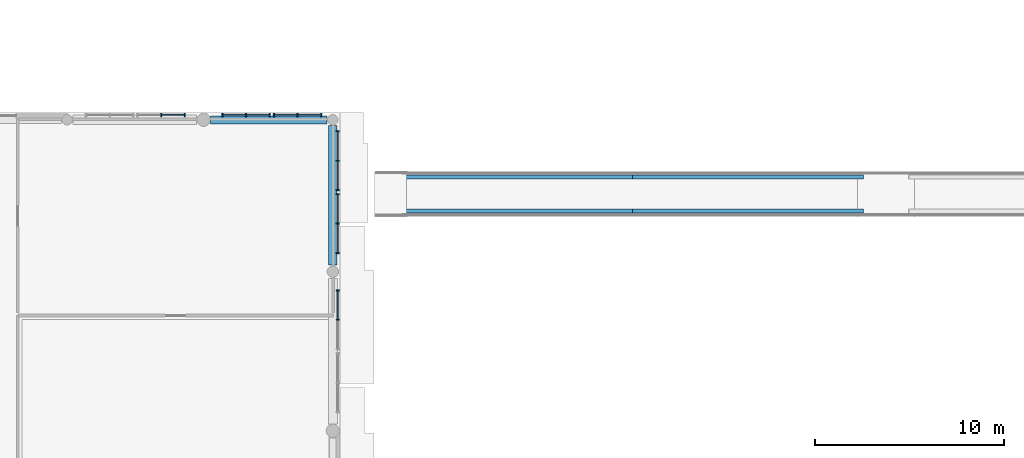
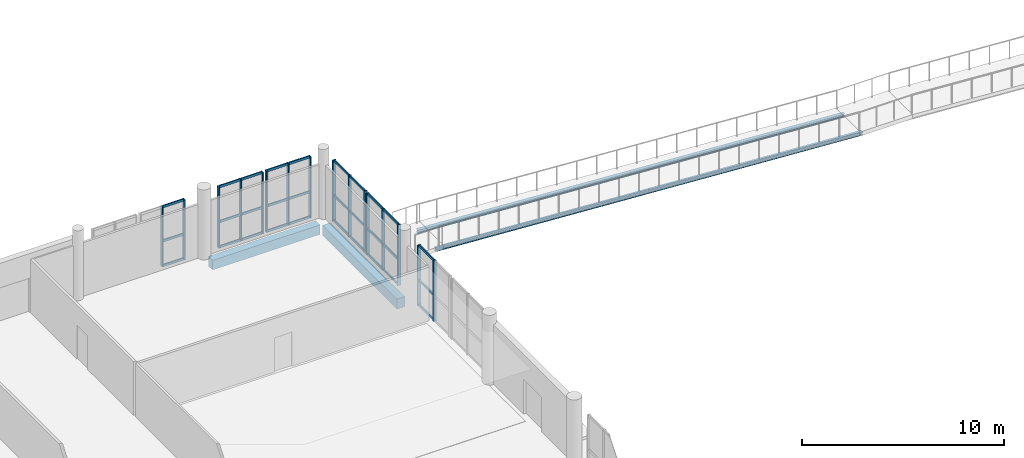
# One storey, part 26 of 77: 46 members, 6 beams, 6 elements without a shape of their own.
"""IFC4 building model written with IfcOpenShell, lengths in metres."""

from ifc_helpers import new_model, si_unit, direction, frame, origin, origin_2d, place, context, subcontext, project, spatial, rectangle, i_section, extrude, material, layer, layer_set, material_profile, profile_set, type_object, element, aggregate, save


model = new_model("IFC4")

# Units and contexts
model_context = context("Model", 3, precision=1e-05, world=origin(), true_north=direction((0.0, 1.0)))
body_context = subcontext(model_context, "Body", "Model", "MODEL_VIEW")
ifc_project = project(units=[si_unit("LENGTHUNIT", "METRE"), si_unit("AREAUNIT", "SQUARE_METRE"), si_unit("VOLUMEUNIT", "CUBIC_METRE"), si_unit("PLANEANGLEUNIT", "RADIAN"), si_unit("MASSUNIT", "GRAM", prefix="KILO")], contexts=[model_context])

# Site, building, storey
site_placement = place(None, origin())
site = spatial("IfcSite", under=ifc_project, at=site_placement, CompositionType="ELEMENT")
building_placement = place(site_placement, origin())
building = spatial("IfcBuilding", under=site, at=building_placement, Name="Vardoun Plaza Health Centre", CompositionType="ELEMENT")
storey_placement = place(building_placement, origin())
storey = spatial("IfcBuildingStorey", under=building, at=storey_placement, Name="L00", CompositionType="ELEMENT", Elevation=0.0)

# Beams
ifc_material_1 = material(Name="Concrete C35/45", Category="concrete")
ifc_material_profile_1 = material_profile(ifc_material_1, rectangle(XDim=0.419921875, YDim=0.580078125, at=origin_2d()), Name="RC-BM 420x580")
ifc_profile_set_1 = profile_set([ifc_material_profile_1], Name="Concrete C35/45")
beam_type_1 = type_object("IfcBeamType", Name="B-10", PredefinedType="SPANDREL", material=ifc_profile_set_1)
beam_1_placement = place(storey_placement, frame((69.85498046875, 77.919921875, -0.570068359375), z_axis=(1.0, 0.0, 0.0), x_axis=(0.0, 1.0, 0.0)))
element("IfcBeam", 1, at=beam_1_placement, inside=storey, type_object=beam_type_1, Name="V1 L00 Beam B-V1-L00-X12", PredefinedType="SPANDREL", context=body_context, shape_type="SweptSolid", body=[
    extrude(rectangle(XDim=0.419921875, YDim=0.580078125, at=origin_2d()), origin(), (0.0, 0.0, 1.0), 6.14501953125),
])
ifc_material_2 = material(Name="Concrete C35/45", Category="concrete")
ifc_material_profile_2 = material_profile(ifc_material_2, rectangle(XDim=0.449951171875, YDim=0.60009765625, at=origin_2d()), Name="RC-BM 450x600")
ifc_profile_set_2 = profile_set([ifc_material_profile_2], Name="Concrete C35/45")
beam_type_2 = type_object("IfcBeamType", Name="B-11", PredefinedType="SPANDREL", material=ifc_profile_set_2)
beam_2_placement = place(storey_placement, frame((76.300048828125, 70.25, -0.580078125), z_axis=(0.0, 1.0, 0.0), x_axis=(-1.0, 0.0, 0.0)))
element("IfcBeam", 2, at=beam_2_placement, inside=storey, type_object=beam_type_2, Name="V1 L00 Beam B-V1-L00-Y26", PredefinedType="SPANDREL", context=body_context, shape_type="SweptSolid", body=[
    extrude(rectangle(XDim=0.449951171875, YDim=0.60009765625, at=origin_2d()), origin(), (0.0, 0.0, 1.0), 7.3701171875),
])
ifc_material_3 = material(Name="Steel S355J2", Category="steel")
ifc_material_profile_3 = material_profile(ifc_material_3, i_section(OverallWidth=0.199951171875, OverallDepth=0.18994140625, WebThickness=0.006591796875, FlangeThickness=0.010009765625, FilletRadius=0.01806640625, at=origin_2d()), Name="HEA 200")
ifc_profile_set_3 = profile_set([ifc_material_profile_3], Name="Steel S355J2")
beam_type_3 = type_object("IfcBeamType", Name="SB-09", PredefinedType="BEAM", material=ifc_profile_set_3)
for number, where, z_axis, x_axis, name in (
    (3, (79.900146484375, 73.10009765625, -0.320068359375), (0.998115711096, 0.0, -0.061359817984), (0.0, 1.0, 0.0), "Ramp AR-01 Stringer West S"),
    (4, (92.10009765625, 73.10009765625, -1.070068359375), (0.998115711096, 0.0, -0.061359817984), (0.0, 1.0, 0.0), "Ramp AR-01 Stringer East S"),
    (5, (79.900146484375, 74.900146484375, -0.320068359375), (0.998115711096, 0.0, -0.061359817984), (0.0, 1.0, 0.0), "Ramp AR-01 Stringer West N"),
    (6, (92.10009765625, 74.900146484375, -1.070068359375), (0.998115711096, 0.0, -0.061359817984), (0.0, 1.0, 0.0), "Ramp AR-01 Stringer East N"),
):
    element("IfcBeam", number, at=place(storey_placement, frame(where, z_axis=z_axis, x_axis=x_axis)), inside=storey, type_object=beam_type_3, Name=name, PredefinedType="BEAM", context=body_context, shape_type="SweptSolid", body=[
        extrude(i_section(OverallWidth=0.199951171875, OverallDepth=0.18994140625, WebThickness=0.006591796875, FlangeThickness=0.010009765625, FilletRadius=0.01806640625, at=origin_2d()), origin(), (0.0, 0.0, 1.0), 12.222900390625),
    ])

# Curtain wall, members
ifc_material_4 = material(Name="Aluminium Alloy EN AW-6063-T6 and Low-E Glass", Category="aluminium")
ifc_layer = layer(ifc_material_4, 0.179931640625)
ifc_layer_set = layer_set([ifc_layer], Name="Aluminium Alloy EN AW-6063-T6 and Low-E Glass")
curtain_wall_type = type_object("IfcCurtainWallType", Name="CW-01", PredefinedType="USERDEFINED", material=ifc_layer_set)
curtain_wall_1_placement = place(storey_placement, origin())
curtain_wall_1 = element("IfcCurtainWall", 7, at=curtain_wall_1_placement, inside=storey, type_object=curtain_wall_type, Name="Curtain Wall CW-V1-004", ObjectType="CONCOURSE_CURTAIN_WALL", PredefinedType="USERDEFINED")
ifc_material_5 = material(Name="Aluminium Alloy EN AW-6063-T6", Category="aluminium")
ifc_material_profile_4 = material_profile(ifc_material_5, rectangle(XDim=0.179931640625, YDim=0.06494140625, at=origin_2d()), Name="CWM 65x180")
ifc_profile_set_4 = profile_set([ifc_material_profile_4], Name="Aluminium Alloy EN AW-6063-T6")
member_type_1 = type_object("IfcMemberType", Name="CW-M2", PredefinedType="MULLION", material=ifc_profile_set_4)
member_1_placement = place(storey_placement, frame((67.239990234375, 78.179931640625, 0.0), z_axis=(0.0, 0.0, 1.0), x_axis=(0.0, 1.0, 0.0)))
member_1 = element("IfcMember", 8, at=member_1_placement, type_object=member_type_1, Name="CW-V1-004 mullion 2", PredefinedType="MULLION", context=body_context, shape_type="SweptSolid", body=[
    extrude(rectangle(XDim=0.179931640625, YDim=0.06494140625, at=origin_2d()), origin(), (0.0, 0.0, 1.0), 3.625),
])
member_2_placement = place(storey_placement, frame((68.487548828125, 78.179931640625, 0.0), z_axis=(0.0, 0.0, 1.0), x_axis=(0.0, 1.0, 0.0)))
member_2 = element("IfcMember", 9, at=member_2_placement, type_object=member_type_1, Name="CW-V1-004 mullion 3", PredefinedType="MULLION", context=body_context, shape_type="SweptSolid", body=[
    extrude(rectangle(XDim=0.179931640625, YDim=0.06494140625, at=origin_2d()), origin(), (0.0, 0.0, 1.0), 3.625),
])

curtain_wall_2_placement = place(storey_placement, origin())
curtain_wall_2 = element("IfcCurtainWall", 10, at=curtain_wall_2_placement, inside=storey, type_object=curtain_wall_type, Name="Curtain Wall CW-V1-005", ObjectType="CONCOURSE_CURTAIN_WALL", PredefinedType="USERDEFINED")
member_3_placement = place(storey_placement, frame((70.472412109375, 78.179931640625, 0.0), z_axis=(0.0, 0.0, 1.0), x_axis=(0.0, 1.0, 0.0)))
member_3 = element("IfcMember", 11, at=member_3_placement, type_object=member_type_1, Name="CW-V1-005 mullion 1", PredefinedType="MULLION", context=body_context, shape_type="SweptSolid", body=[
    extrude(rectangle(XDim=0.179931640625, YDim=0.06494140625, at=origin_2d()), origin(), (0.0, 0.0, 1.0), 3.705078125),
])
member_4_placement = place(storey_placement, frame((71.719970703125, 78.179931640625, 0.0), z_axis=(0.0, 0.0, 1.0), x_axis=(0.0, 1.0, 0.0)))
member_4 = element("IfcMember", 12, at=member_4_placement, type_object=member_type_1, Name="CW-V1-005 mullion 2", PredefinedType="MULLION", context=body_context, shape_type="SweptSolid", body=[
    extrude(rectangle(XDim=0.179931640625, YDim=0.06494140625, at=origin_2d()), origin(), (0.0, 0.0, 1.0), 3.705078125),
])
member_5_placement = place(storey_placement, frame((72.967529296875, 78.179931640625, 0.0), z_axis=(0.0, 0.0, 1.0), x_axis=(0.0, 1.0, 0.0)))
member_5 = element("IfcMember", 13, at=member_5_placement, type_object=member_type_1, Name="CW-V1-005 mullion 3", PredefinedType="MULLION", context=body_context, shape_type="SweptSolid", body=[
    extrude(rectangle(XDim=0.179931640625, YDim=0.06494140625, at=origin_2d()), origin(), (0.0, 0.0, 1.0), 3.705078125),
])

curtain_wall_3_placement = place(storey_placement, origin())
curtain_wall_3 = element("IfcCurtainWall", 14, at=curtain_wall_3_placement, inside=storey, type_object=curtain_wall_type, Name="Curtain Wall CW-V1-006", ObjectType="CONCOURSE_CURTAIN_WALL", PredefinedType="USERDEFINED")
member_6_placement = place(storey_placement, frame((73.1923828125, 78.179931640625, 0.0), z_axis=(0.0, 0.0, 1.0), x_axis=(0.0, 1.0, 0.0)))
member_6 = element("IfcMember", 15, at=member_6_placement, type_object=member_type_1, Name="CW-V1-006 mullion 1", PredefinedType="MULLION", context=body_context, shape_type="SweptSolid", body=[
    extrude(rectangle(XDim=0.179931640625, YDim=0.06494140625, at=origin_2d()), origin(), (0.0, 0.0, 1.0), 3.705078125),
])
member_7_placement = place(storey_placement, frame((74.440185546875, 78.179931640625, 0.0), z_axis=(0.0, 0.0, 1.0), x_axis=(0.0, 1.0, 0.0)))
member_7 = element("IfcMember", 16, at=member_7_placement, type_object=member_type_1, Name="CW-V1-006 mullion 2", PredefinedType="MULLION", context=body_context, shape_type="SweptSolid", body=[
    extrude(rectangle(XDim=0.179931640625, YDim=0.06494140625, at=origin_2d()), origin(), (0.0, 0.0, 1.0), 3.705078125),
])
member_8_placement = place(storey_placement, frame((75.6875, 78.179931640625, 0.0), z_axis=(0.0, 0.0, 1.0), x_axis=(0.0, 1.0, 0.0)))
member_8 = element("IfcMember", 17, at=member_8_placement, type_object=member_type_1, Name="CW-V1-006 mullion 3", PredefinedType="MULLION", context=body_context, shape_type="SweptSolid", body=[
    extrude(rectangle(XDim=0.179931640625, YDim=0.06494140625, at=origin_2d()), origin(), (0.0, 0.0, 1.0), 3.705078125),
])

curtain_wall_4_placement = place(storey_placement, origin())
curtain_wall_4 = element("IfcCurtainWall", 18, at=curtain_wall_4_placement, inside=storey, type_object=curtain_wall_type, Name="Curtain Wall CW-V1-007", ObjectType="CONCOURSE_CURTAIN_WALL", PredefinedType="USERDEFINED")
member_9_placement = place(storey_placement, frame((76.56005859375, 77.3076171875, 0.0), z_axis=(0.0, 0.0, 1.0), x_axis=(1.0, 0.0, 0.0)))
member_9 = element("IfcMember", 19, at=member_9_placement, type_object=member_type_1, Name="CW-V1-007 mullion 1", PredefinedType="MULLION", context=body_context, shape_type="SweptSolid", body=[
    extrude(rectangle(XDim=0.179931640625, YDim=0.06494140625, at=origin_2d()), origin(), (0.0, 0.0, 1.0), 3.705078125),
])
member_10_placement = place(storey_placement, frame((76.56005859375, 75.760009765625, 0.0), z_axis=(0.0, 0.0, 1.0), x_axis=(1.0, 0.0, 0.0)))
member_10 = element("IfcMember", 20, at=member_10_placement, type_object=member_type_1, Name="CW-V1-007 mullion 2", PredefinedType="MULLION", context=body_context, shape_type="SweptSolid", body=[
    extrude(rectangle(XDim=0.179931640625, YDim=0.06494140625, at=origin_2d()), origin(), (0.0, 0.0, 1.0), 3.705078125),
])
member_11_placement = place(storey_placement, frame((76.56005859375, 74.212646484375, 0.0), z_axis=(0.0, 0.0, 1.0), x_axis=(1.0, 0.0, 0.0)))
member_11 = element("IfcMember", 21, at=member_11_placement, type_object=member_type_1, Name="CW-V1-007 mullion 3", PredefinedType="MULLION", context=body_context, shape_type="SweptSolid", body=[
    extrude(rectangle(XDim=0.179931640625, YDim=0.06494140625, at=origin_2d()), origin(), (0.0, 0.0, 1.0), 3.705078125),
])

curtain_wall_5_placement = place(storey_placement, origin())
curtain_wall_5 = element("IfcCurtainWall", 22, at=curtain_wall_5_placement, inside=storey, type_object=curtain_wall_type, Name="Curtain Wall CW-V1-008", ObjectType="CONCOURSE_CURTAIN_WALL", PredefinedType="USERDEFINED")
member_12_placement = place(storey_placement, frame((76.56005859375, 73.987548828125, 0.0), z_axis=(0.0, 0.0, 1.0), x_axis=(1.0, 0.0, 0.0)))
member_12 = element("IfcMember", 23, at=member_12_placement, type_object=member_type_1, Name="CW-V1-008 mullion 1", PredefinedType="MULLION", context=body_context, shape_type="SweptSolid", body=[
    extrude(rectangle(XDim=0.179931640625, YDim=0.06494140625, at=origin_2d()), origin(), (0.0, 0.0, 1.0), 3.705078125),
])
member_13_placement = place(storey_placement, frame((76.56005859375, 72.440185546875, 0.0), z_axis=(0.0, 0.0, 1.0), x_axis=(1.0, 0.0, 0.0)))
member_13 = element("IfcMember", 24, at=member_13_placement, type_object=member_type_1, Name="CW-V1-008 mullion 2", PredefinedType="MULLION", context=body_context, shape_type="SweptSolid", body=[
    extrude(rectangle(XDim=0.179931640625, YDim=0.06494140625, at=origin_2d()), origin(), (0.0, 0.0, 1.0), 3.705078125),
])
member_14_placement = place(storey_placement, frame((76.56005859375, 70.892578125, 0.0), z_axis=(0.0, 0.0, 1.0), x_axis=(1.0, 0.0, 0.0)))
member_14 = element("IfcMember", 25, at=member_14_placement, type_object=member_type_1, Name="CW-V1-008 mullion 3", PredefinedType="MULLION", context=body_context, shape_type="SweptSolid", body=[
    extrude(rectangle(XDim=0.179931640625, YDim=0.06494140625, at=origin_2d()), origin(), (0.0, 0.0, 1.0), 3.705078125),
])

curtain_wall_6_placement = place(storey_placement, origin())
curtain_wall_6 = element("IfcCurtainWall", 26, at=curtain_wall_6_placement, inside=storey, type_object=curtain_wall_type, Name="Curtain Wall CW-V1-009", ObjectType="CONCOURSE_CURTAIN_WALL", PredefinedType="USERDEFINED")
member_15_placement = place(storey_placement, frame((76.56005859375, 68.907470703125, 0.0), z_axis=(0.0, 0.0, 1.0), x_axis=(1.0, 0.0, 0.0)))
member_15 = element("IfcMember", 27, at=member_15_placement, type_object=member_type_1, Name="CW-V1-009 mullion 1", PredefinedType="MULLION", context=body_context, shape_type="SweptSolid", body=[
    extrude(rectangle(XDim=0.179931640625, YDim=0.06494140625, at=origin_2d()), origin(), (0.0, 0.0, 1.0), 3.655029296875),
])
member_16_placement = place(storey_placement, frame((76.56005859375, 67.360107421875, 0.0), z_axis=(0.0, 0.0, 1.0), x_axis=(1.0, 0.0, 0.0)))
member_16 = element("IfcMember", 28, at=member_16_placement, type_object=member_type_1, Name="CW-V1-009 mullion 2", PredefinedType="MULLION", context=body_context, shape_type="SweptSolid", body=[
    extrude(rectangle(XDim=0.179931640625, YDim=0.06494140625, at=origin_2d()), origin(), (0.0, 0.0, 1.0), 3.655029296875),
])

# Member
ifc_material_6 = material(Name="Aluminium Alloy EN AW-6063-T6", Category="aluminium")
ifc_material_profile_5 = material_profile(ifc_material_6, rectangle(XDim=0.06494140625, YDim=0.139892578125, at=origin_2d()), Name="CWT 65x140")
ifc_profile_set_5 = profile_set([ifc_material_profile_5], Name="Aluminium Alloy EN AW-6063-T6")
member_type_2 = type_object("IfcMemberType", Name="CW-T2", PredefinedType="USERDEFINED", material=ifc_profile_set_5)
member_17_placement = place(storey_placement, frame((67.2724609375, 78.179931640625, 0.032470703125), z_axis=(1.0, 0.0, 0.0), x_axis=(0.0, 1.0, 0.0)))
member_17 = element("IfcMember", 29, at=member_17_placement, type_object=member_type_2, Name="CW-V1-004 transom 2.1", ObjectType="TRANSOM", PredefinedType="USERDEFINED", context=body_context, shape_type="SweptSolid", body=[
    extrude(rectangle(XDim=0.06494140625, YDim=0.139892578125, at=origin_2d()), origin(), (0.0, 0.0, 1.0), 1.1826171875),
])

member_18_placement = place(storey_placement, frame((67.2724609375, 78.179931640625, 1.5224609375), z_axis=(1.0, 0.0, 0.0), x_axis=(0.0, 1.0, 0.0)))
member_18 = element("IfcMember", 30, at=member_18_placement, type_object=member_type_2, Name="CW-V1-004 transom 2.2", ObjectType="TRANSOM", PredefinedType="USERDEFINED", context=body_context, shape_type="SweptSolid", body=[
    extrude(rectangle(XDim=0.06494140625, YDim=0.139892578125, at=origin_2d()), origin(), (0.0, 0.0, 1.0), 1.1826171875),
])

member_19_placement = place(storey_placement, frame((67.2724609375, 78.179931640625, 3.592529296875), z_axis=(1.0, 0.0, 0.0), x_axis=(0.0, 1.0, 0.0)))
member_19 = element("IfcMember", 31, at=member_19_placement, type_object=member_type_2, Name="CW-V1-004 transom 2.3", ObjectType="TRANSOM", PredefinedType="USERDEFINED", context=body_context, shape_type="SweptSolid", body=[
    extrude(rectangle(XDim=0.06494140625, YDim=0.139892578125, at=origin_2d()), origin(), (0.0, 0.0, 1.0), 1.1826171875),
])

aggregate(curtain_wall_1, [member_1, member_2, member_17, member_18, member_19])

member_20_placement = place(storey_placement, frame((70.5048828125, 78.179931640625, 0.032470703125), z_axis=(1.0, 0.0, 0.0), x_axis=(0.0, 1.0, 0.0)))
member_20 = element("IfcMember", 32, at=member_20_placement, type_object=member_type_2, Name="CW-V1-005 transom 1.1", ObjectType="TRANSOM", PredefinedType="USERDEFINED", context=body_context, shape_type="SweptSolid", body=[
    extrude(rectangle(XDim=0.06494140625, YDim=0.139892578125, at=origin_2d()), origin(), (0.0, 0.0, 1.0), 1.1826171875),
])

member_21_placement = place(storey_placement, frame((70.5048828125, 78.179931640625, 1.55615234375), z_axis=(1.0, 0.0, 0.0), x_axis=(0.0, 1.0, 0.0)))
member_21 = element("IfcMember", 33, at=member_21_placement, type_object=member_type_2, Name="CW-V1-005 transom 1.2", ObjectType="TRANSOM", PredefinedType="USERDEFINED", context=body_context, shape_type="SweptSolid", body=[
    extrude(rectangle(XDim=0.06494140625, YDim=0.139892578125, at=origin_2d()), origin(), (0.0, 0.0, 1.0), 1.1826171875),
])

member_22_placement = place(storey_placement, frame((70.5048828125, 78.179931640625, 3.672607421875), z_axis=(1.0, 0.0, 0.0), x_axis=(0.0, 1.0, 0.0)))
member_22 = element("IfcMember", 34, at=member_22_placement, type_object=member_type_2, Name="CW-V1-005 transom 1.3", ObjectType="TRANSOM", PredefinedType="USERDEFINED", context=body_context, shape_type="SweptSolid", body=[
    extrude(rectangle(XDim=0.06494140625, YDim=0.139892578125, at=origin_2d()), origin(), (0.0, 0.0, 1.0), 1.1826171875),
])

member_23_placement = place(storey_placement, frame((71.752685546875, 78.179931640625, 0.032470703125), z_axis=(1.0, 0.0, 0.0), x_axis=(0.0, 1.0, 0.0)))
member_23 = element("IfcMember", 35, at=member_23_placement, type_object=member_type_2, Name="CW-V1-005 transom 2.1", ObjectType="TRANSOM", PredefinedType="USERDEFINED", context=body_context, shape_type="SweptSolid", body=[
    extrude(rectangle(XDim=0.06494140625, YDim=0.139892578125, at=origin_2d()), origin(), (0.0, 0.0, 1.0), 1.182373046875),
])

member_24_placement = place(storey_placement, frame((71.752685546875, 78.179931640625, 1.55615234375), z_axis=(1.0, 0.0, 0.0), x_axis=(0.0, 1.0, 0.0)))
member_24 = element("IfcMember", 36, at=member_24_placement, type_object=member_type_2, Name="CW-V1-005 transom 2.2", ObjectType="TRANSOM", PredefinedType="USERDEFINED", context=body_context, shape_type="SweptSolid", body=[
    extrude(rectangle(XDim=0.06494140625, YDim=0.139892578125, at=origin_2d()), origin(), (0.0, 0.0, 1.0), 1.182373046875),
])

member_25_placement = place(storey_placement, frame((71.752685546875, 78.179931640625, 3.672607421875), z_axis=(1.0, 0.0, 0.0), x_axis=(0.0, 1.0, 0.0)))
member_25 = element("IfcMember", 37, at=member_25_placement, type_object=member_type_2, Name="CW-V1-005 transom 2.3", ObjectType="TRANSOM", PredefinedType="USERDEFINED", context=body_context, shape_type="SweptSolid", body=[
    extrude(rectangle(XDim=0.06494140625, YDim=0.139892578125, at=origin_2d()), origin(), (0.0, 0.0, 1.0), 1.182373046875),
])

aggregate(curtain_wall_2, [member_3, member_4, member_5, member_20, member_21, member_22, member_23, member_24, member_25])

member_26_placement = place(storey_placement, frame((73.22509765625, 78.179931640625, 0.032470703125), z_axis=(1.0, 0.0, 0.0), x_axis=(0.0, 1.0, 0.0)))
member_26 = element("IfcMember", 38, at=member_26_placement, type_object=member_type_2, Name="CW-V1-006 transom 1.1", ObjectType="TRANSOM", PredefinedType="USERDEFINED", context=body_context, shape_type="SweptSolid", body=[
    extrude(rectangle(XDim=0.06494140625, YDim=0.139892578125, at=origin_2d()), origin(), (0.0, 0.0, 1.0), 1.182373046875),
])

member_27_placement = place(storey_placement, frame((73.22509765625, 78.179931640625, 1.55615234375), z_axis=(1.0, 0.0, 0.0), x_axis=(0.0, 1.0, 0.0)))
member_27 = element("IfcMember", 39, at=member_27_placement, type_object=member_type_2, Name="CW-V1-006 transom 1.2", ObjectType="TRANSOM", PredefinedType="USERDEFINED", context=body_context, shape_type="SweptSolid", body=[
    extrude(rectangle(XDim=0.06494140625, YDim=0.139892578125, at=origin_2d()), origin(), (0.0, 0.0, 1.0), 1.182373046875),
])

member_28_placement = place(storey_placement, frame((73.22509765625, 78.179931640625, 3.672607421875), z_axis=(1.0, 0.0, 0.0), x_axis=(0.0, 1.0, 0.0)))
member_28 = element("IfcMember", 40, at=member_28_placement, type_object=member_type_2, Name="CW-V1-006 transom 1.3", ObjectType="TRANSOM", PredefinedType="USERDEFINED", context=body_context, shape_type="SweptSolid", body=[
    extrude(rectangle(XDim=0.06494140625, YDim=0.139892578125, at=origin_2d()), origin(), (0.0, 0.0, 1.0), 1.182373046875),
])

member_29_placement = place(storey_placement, frame((74.472412109375, 78.179931640625, 0.032470703125), z_axis=(1.0, 0.0, 0.0), x_axis=(0.0, 1.0, 0.0)))
member_29 = element("IfcMember", 41, at=member_29_placement, type_object=member_type_2, Name="CW-V1-006 transom 2.1", ObjectType="TRANSOM", PredefinedType="USERDEFINED", context=body_context, shape_type="SweptSolid", body=[
    extrude(rectangle(XDim=0.06494140625, YDim=0.139892578125, at=origin_2d()), origin(), (0.0, 0.0, 1.0), 1.1826171875),
])

member_30_placement = place(storey_placement, frame((74.472412109375, 78.179931640625, 1.55615234375), z_axis=(1.0, 0.0, 0.0), x_axis=(0.0, 1.0, 0.0)))
member_30 = element("IfcMember", 42, at=member_30_placement, type_object=member_type_2, Name="CW-V1-006 transom 2.2", ObjectType="TRANSOM", PredefinedType="USERDEFINED", context=body_context, shape_type="SweptSolid", body=[
    extrude(rectangle(XDim=0.06494140625, YDim=0.139892578125, at=origin_2d()), origin(), (0.0, 0.0, 1.0), 1.1826171875),
])

member_31_placement = place(storey_placement, frame((74.472412109375, 78.179931640625, 3.672607421875), z_axis=(1.0, 0.0, 0.0), x_axis=(0.0, 1.0, 0.0)))
member_31 = element("IfcMember", 43, at=member_31_placement, type_object=member_type_2, Name="CW-V1-006 transom 2.3", ObjectType="TRANSOM", PredefinedType="USERDEFINED", context=body_context, shape_type="SweptSolid", body=[
    extrude(rectangle(XDim=0.06494140625, YDim=0.139892578125, at=origin_2d()), origin(), (0.0, 0.0, 1.0), 1.1826171875),
])

aggregate(curtain_wall_3, [member_6, member_7, member_8, member_26, member_27, member_28, member_29, member_30, member_31])

member_32_placement = place(storey_placement, frame((76.56005859375, 77.275146484375, 0.032470703125), z_axis=(0.0, -1.0, 0.0), x_axis=(1.0, 0.0, 0.0)))
member_32 = element("IfcMember", 44, at=member_32_placement, type_object=member_type_2, Name="CW-V1-007 transom 1.1", ObjectType="TRANSOM", PredefinedType="USERDEFINED", context=body_context, shape_type="SweptSolid", body=[
    extrude(rectangle(XDim=0.06494140625, YDim=0.139892578125, at=origin_2d()), origin(), (0.0, 0.0, 1.0), 1.482666015625),
])

member_33_placement = place(storey_placement, frame((76.56005859375, 77.275146484375, 1.55615234375), z_axis=(0.0, -1.0, 0.0), x_axis=(1.0, 0.0, 0.0)))
member_33 = element("IfcMember", 45, at=member_33_placement, type_object=member_type_2, Name="CW-V1-007 transom 1.2", ObjectType="TRANSOM", PredefinedType="USERDEFINED", context=body_context, shape_type="SweptSolid", body=[
    extrude(rectangle(XDim=0.06494140625, YDim=0.139892578125, at=origin_2d()), origin(), (0.0, 0.0, 1.0), 1.482666015625),
])

member_34_placement = place(storey_placement, frame((76.56005859375, 77.275146484375, 3.672607421875), z_axis=(0.0, -1.0, 0.0), x_axis=(1.0, 0.0, 0.0)))
member_34 = element("IfcMember", 46, at=member_34_placement, type_object=member_type_2, Name="CW-V1-007 transom 1.3", ObjectType="TRANSOM", PredefinedType="USERDEFINED", context=body_context, shape_type="SweptSolid", body=[
    extrude(rectangle(XDim=0.06494140625, YDim=0.139892578125, at=origin_2d()), origin(), (0.0, 0.0, 1.0), 1.482666015625),
])

member_35_placement = place(storey_placement, frame((76.56005859375, 75.7275390625, 0.032470703125), z_axis=(0.0, -1.0, 0.0), x_axis=(1.0, 0.0, 0.0)))
member_35 = element("IfcMember", 47, at=member_35_placement, type_object=member_type_2, Name="CW-V1-007 transom 2.1", ObjectType="TRANSOM", PredefinedType="USERDEFINED", context=body_context, shape_type="SweptSolid", body=[
    extrude(rectangle(XDim=0.06494140625, YDim=0.139892578125, at=origin_2d()), origin(), (0.0, 0.0, 1.0), 1.482421875),
])

member_36_placement = place(storey_placement, frame((76.56005859375, 75.7275390625, 1.55615234375), z_axis=(0.0, -1.0, 0.0), x_axis=(1.0, 0.0, 0.0)))
member_36 = element("IfcMember", 48, at=member_36_placement, type_object=member_type_2, Name="CW-V1-007 transom 2.2", ObjectType="TRANSOM", PredefinedType="USERDEFINED", context=body_context, shape_type="SweptSolid", body=[
    extrude(rectangle(XDim=0.06494140625, YDim=0.139892578125, at=origin_2d()), origin(), (0.0, 0.0, 1.0), 1.482421875),
])

member_37_placement = place(storey_placement, frame((76.56005859375, 75.7275390625, 3.672607421875), z_axis=(0.0, -1.0, 0.0), x_axis=(1.0, 0.0, 0.0)))
member_37 = element("IfcMember", 49, at=member_37_placement, type_object=member_type_2, Name="CW-V1-007 transom 2.3", ObjectType="TRANSOM", PredefinedType="USERDEFINED", context=body_context, shape_type="SweptSolid", body=[
    extrude(rectangle(XDim=0.06494140625, YDim=0.139892578125, at=origin_2d()), origin(), (0.0, 0.0, 1.0), 1.482421875),
])

aggregate(curtain_wall_4, [member_9, member_10, member_11, member_32, member_33, member_34, member_35, member_36, member_37])

member_38_placement = place(storey_placement, frame((76.56005859375, 73.955078125, 0.032470703125), z_axis=(0.0, -1.0, 0.0), x_axis=(1.0, 0.0, 0.0)))
member_38 = element("IfcMember", 50, at=member_38_placement, type_object=member_type_2, Name="CW-V1-008 transom 1.1", ObjectType="TRANSOM", PredefinedType="USERDEFINED", context=body_context, shape_type="SweptSolid", body=[
    extrude(rectangle(XDim=0.06494140625, YDim=0.139892578125, at=origin_2d()), origin(), (0.0, 0.0, 1.0), 1.482666015625),
])

member_39_placement = place(storey_placement, frame((76.56005859375, 73.955078125, 1.55615234375), z_axis=(0.0, -1.0, 0.0), x_axis=(1.0, 0.0, 0.0)))
member_39 = element("IfcMember", 51, at=member_39_placement, type_object=member_type_2, Name="CW-V1-008 transom 1.2", ObjectType="TRANSOM", PredefinedType="USERDEFINED", context=body_context, shape_type="SweptSolid", body=[
    extrude(rectangle(XDim=0.06494140625, YDim=0.139892578125, at=origin_2d()), origin(), (0.0, 0.0, 1.0), 1.482666015625),
])

member_40_placement = place(storey_placement, frame((76.56005859375, 73.955078125, 3.672607421875), z_axis=(0.0, -1.0, 0.0), x_axis=(1.0, 0.0, 0.0)))
member_40 = element("IfcMember", 52, at=member_40_placement, type_object=member_type_2, Name="CW-V1-008 transom 1.3", ObjectType="TRANSOM", PredefinedType="USERDEFINED", context=body_context, shape_type="SweptSolid", body=[
    extrude(rectangle(XDim=0.06494140625, YDim=0.139892578125, at=origin_2d()), origin(), (0.0, 0.0, 1.0), 1.482666015625),
])

member_41_placement = place(storey_placement, frame((76.56005859375, 72.407470703125, 0.032470703125), z_axis=(0.0, -1.0, 0.0), x_axis=(1.0, 0.0, 0.0)))
member_41 = element("IfcMember", 53, at=member_41_placement, type_object=member_type_2, Name="CW-V1-008 transom 2.1", ObjectType="TRANSOM", PredefinedType="USERDEFINED", context=body_context, shape_type="SweptSolid", body=[
    extrude(rectangle(XDim=0.06494140625, YDim=0.139892578125, at=origin_2d()), origin(), (0.0, 0.0, 1.0), 1.482421875),
])

member_42_placement = place(storey_placement, frame((76.56005859375, 72.407470703125, 1.55615234375), z_axis=(0.0, -1.0, 0.0), x_axis=(1.0, 0.0, 0.0)))
member_42 = element("IfcMember", 54, at=member_42_placement, type_object=member_type_2, Name="CW-V1-008 transom 2.2", ObjectType="TRANSOM", PredefinedType="USERDEFINED", context=body_context, shape_type="SweptSolid", body=[
    extrude(rectangle(XDim=0.06494140625, YDim=0.139892578125, at=origin_2d()), origin(), (0.0, 0.0, 1.0), 1.482421875),
])

member_43_placement = place(storey_placement, frame((76.56005859375, 72.407470703125, 3.672607421875), z_axis=(0.0, -1.0, 0.0), x_axis=(1.0, 0.0, 0.0)))
member_43 = element("IfcMember", 55, at=member_43_placement, type_object=member_type_2, Name="CW-V1-008 transom 2.3", ObjectType="TRANSOM", PredefinedType="USERDEFINED", context=body_context, shape_type="SweptSolid", body=[
    extrude(rectangle(XDim=0.06494140625, YDim=0.139892578125, at=origin_2d()), origin(), (0.0, 0.0, 1.0), 1.482421875),
])

aggregate(curtain_wall_5, [member_12, member_13, member_14, member_38, member_39, member_40, member_41, member_42, member_43])

member_44_placement = place(storey_placement, frame((76.56005859375, 68.875, 0.032470703125), z_axis=(0.0, -1.0, 0.0), x_axis=(1.0, 0.0, 0.0)))
member_44 = element("IfcMember", 56, at=member_44_placement, type_object=member_type_2, Name="CW-V1-009 transom 1.1", ObjectType="TRANSOM", PredefinedType="USERDEFINED", context=body_context, shape_type="SweptSolid", body=[
    extrude(rectangle(XDim=0.06494140625, YDim=0.139892578125, at=origin_2d()), origin(), (0.0, 0.0, 1.0), 1.482421875),
])

member_45_placement = place(storey_placement, frame((76.56005859375, 68.875, 1.53515625), z_axis=(0.0, -1.0, 0.0), x_axis=(1.0, 0.0, 0.0)))
member_45 = element("IfcMember", 57, at=member_45_placement, type_object=member_type_2, Name="CW-V1-009 transom 1.2", ObjectType="TRANSOM", PredefinedType="USERDEFINED", context=body_context, shape_type="SweptSolid", body=[
    extrude(rectangle(XDim=0.06494140625, YDim=0.139892578125, at=origin_2d()), origin(), (0.0, 0.0, 1.0), 1.482421875),
])

member_46_placement = place(storey_placement, frame((76.56005859375, 68.875, 3.62255859375), z_axis=(0.0, -1.0, 0.0), x_axis=(1.0, 0.0, 0.0)))
member_46 = element("IfcMember", 58, at=member_46_placement, type_object=member_type_2, Name="CW-V1-009 transom 1.3", ObjectType="TRANSOM", PredefinedType="USERDEFINED", context=body_context, shape_type="SweptSolid", body=[
    extrude(rectangle(XDim=0.06494140625, YDim=0.139892578125, at=origin_2d()), origin(), (0.0, 0.0, 1.0), 1.482421875),
])

aggregate(curtain_wall_6, [member_15, member_16, member_44, member_45, member_46])

save(model, "model.ifc")
